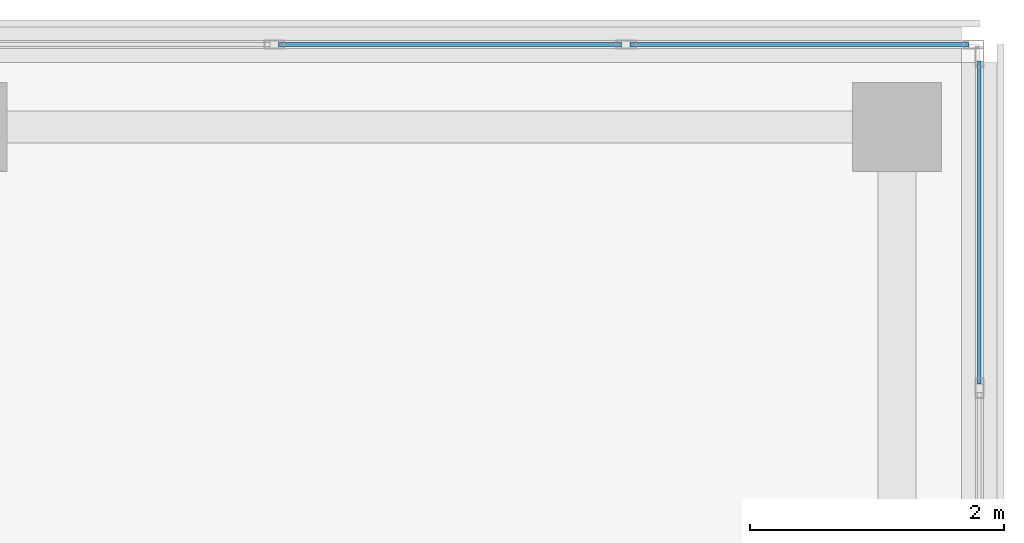
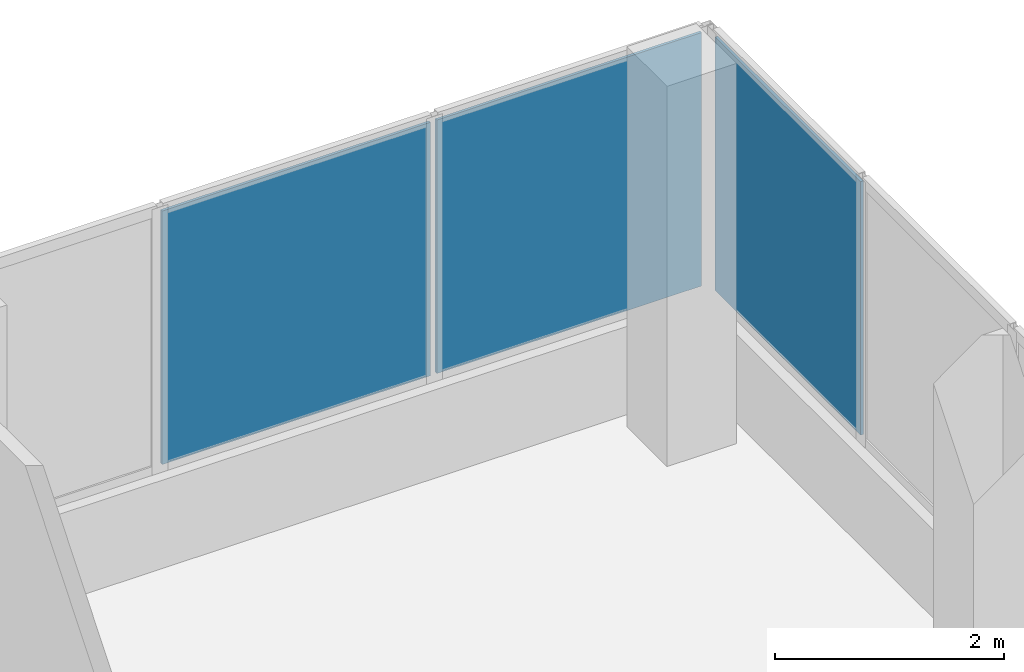
# One storey, part 81 of 101: 3 plates, 2 elements without a shape of their own.
"""IFC4 building model written with IfcOpenShell, lengths in metres."""

from ifc_helpers import new_model, si_unit, direction, frame, origin, origin_2d, place, context, subcontext, project, spatial, rectangle, extrude, material, layer, layer_set, type_object, element, aggregate, save


model = new_model("IFC4")

# Units and contexts
model_context = context("Model", 3, precision=1e-05, world=origin(), true_north=direction((0.0, 1.0)))
body_context = subcontext(model_context, "Body", "Model", "MODEL_VIEW")
ifc_project = project(units=[si_unit("LENGTHUNIT", "METRE"), si_unit("AREAUNIT", "SQUARE_METRE"), si_unit("VOLUMEUNIT", "CUBIC_METRE"), si_unit("PLANEANGLEUNIT", "RADIAN"), si_unit("MASSUNIT", "GRAM", prefix="KILO")], contexts=[model_context])

# Site, building, storey
site_placement = place(None, origin())
site = spatial("IfcSite", under=ifc_project, at=site_placement, CompositionType="ELEMENT")
building_placement = place(site_placement, origin())
building = spatial("IfcBuilding", under=site, at=building_placement, Name="Selatvlak General Hospital", CompositionType="ELEMENT")
storey_placement = place(building_placement, frame((0.0, 0.0, 19.199951171875)))
storey = spatial("IfcBuildingStorey", under=building, at=storey_placement, Name="L04", CompositionType="ELEMENT", Elevation=19.199951171875)

# Curtain wall, plates
ifc_material = material(Name="Solar-control Low-E double glazing", Category="glass")
curtain_wall_type_1 = type_object("IfcCurtainWallType", Name="CW-CW-01", PredefinedType="USERDEFINED", material=ifc_material)
curtain_wall_1_placement = place(storey_placement, origin())
curtain_wall_1 = element("IfcCurtainWall", 1, at=curtain_wall_1_placement, inside=storey, type_object=curtain_wall_type_1, Name="Glazed facade curtain wall CW-L04-0499", ObjectType="UNITISED CURTAIN WALL", PredefinedType="USERDEFINED")
ifc_layer = layer(ifc_material, 0.028076171875, Name="Solar-control Low-E double glazing", Category="glass")
ifc_layer_set = layer_set([ifc_layer], Name="Solar-control Low-E double glazing")
plate_type = type_object("IfcPlateType", Name="CWP-01", PredefinedType="CURTAIN_PANEL", material=ifc_layer_set)
plate_1_placement = place(storey_placement, frame((177.833984375, 120.0, 1.0048828125), z_axis=(0.0, 0.0, 1.0), x_axis=(1.0, 0.0, 0.0)))
plate_1 = element("IfcPlate", 2, at=plate_1_placement, type_object=plate_type, Name="CW-01 panel 2.1", PredefinedType="CURTAIN_PANEL", context=body_context, shape_type="SweptSolid", body=[
    extrude(rectangle(XDim=2.70166015625, YDim=0.028076171875, at=origin_2d()), origin(), (0.0, 0.0, 1.0), 2.699951171875),
])
plate_2_placement = place(storey_placement, frame((180.58447265625, 120.0, 1.0048828125), z_axis=(0.0, 0.0, 1.0), x_axis=(1.0, 0.0, 0.0)))
plate_2 = element("IfcPlate", 3, at=plate_2_placement, type_object=plate_type, Name="CW-01 panel 3.1", PredefinedType="CURTAIN_PANEL", context=body_context, shape_type="SweptSolid", body=[
    extrude(rectangle(XDim=2.669189453125, YDim=0.028076171875, at=origin_2d()), origin(), (0.0, 0.0, 1.0), 2.699951171875),
])
aggregate(curtain_wall_1, [plate_1, plate_2])

# Curtain wall, plate
curtain_wall_type_2 = type_object("IfcCurtainWallType", Name="CW-CW-02", PredefinedType="USERDEFINED", material=ifc_material)
curtain_wall_2_placement = place(storey_placement, origin())
curtain_wall_2 = element("IfcCurtainWall", 4, at=curtain_wall_2_placement, inside=storey, type_object=curtain_wall_type_2, Name="Glazed facade curtain wall CW-L04-0500", ObjectType="UNITISED CURTAIN WALL", PredefinedType="USERDEFINED")
plate_3_placement = place(storey_placement, frame((181.9990234375, 118.5986328125, 1.0048828125), z_axis=(0.0, 0.0, 1.0), x_axis=(0.0, -1.0, 0.0)))
plate_3 = element("IfcPlate", 5, at=plate_3_placement, type_object=plate_type, Name="CW-02 panel 1.1", PredefinedType="CURTAIN_PANEL", context=body_context, shape_type="SweptSolid", body=[
    extrude(rectangle(XDim=2.54248046875, YDim=0.028076171875, at=origin_2d()), origin(), (0.0, 0.0, 1.0), 2.699951171875),
])
aggregate(curtain_wall_2, [plate_3])

save(model, "model.ifc")
